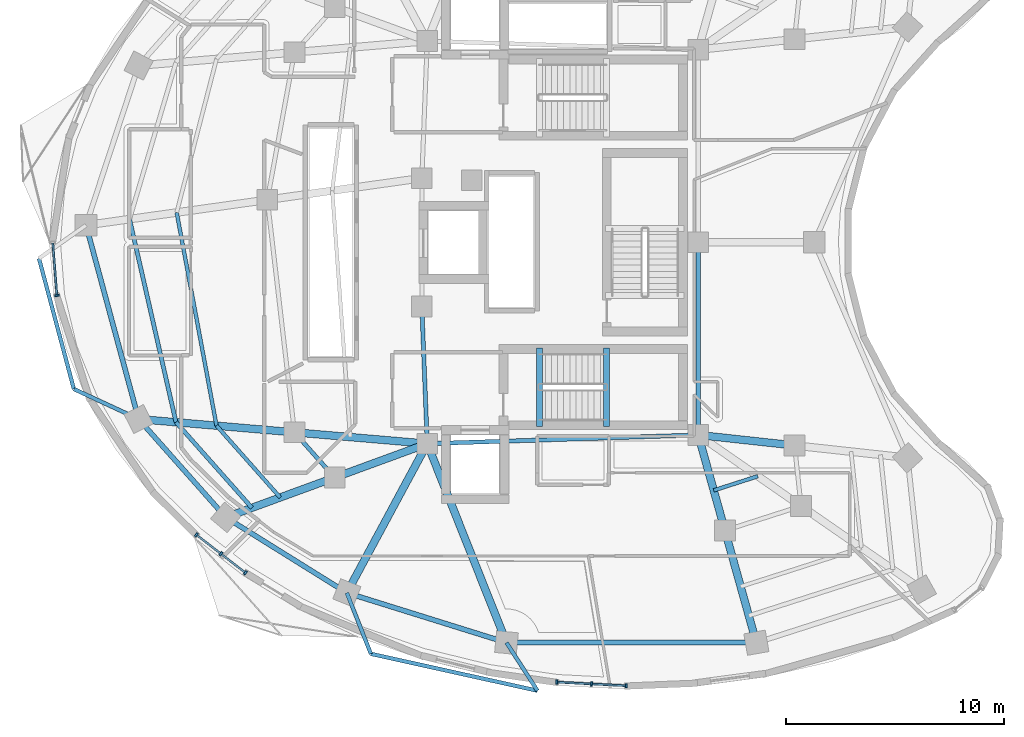
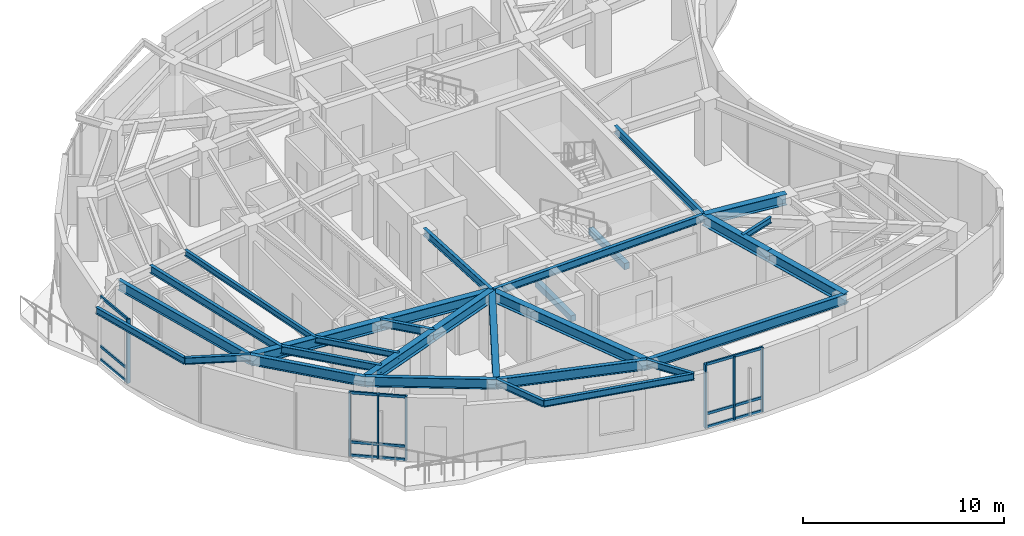
# One storey, part 2 of 13: 30 beams, 22 members, 3 elements without a shape of their own.
"""IFC4 building model written with IfcOpenShell, lengths in metres."""

from ifc_helpers import new_model, si_unit, direction, frame, origin, origin_2d, place, context, subcontext, project, spatial, rectangle, i_section, extrude, material, layer, layer_set, material_profile, profile_set, type_object, element, aggregate, save


model = new_model("IFC4")

# Units and contexts
model_context = context("Model", 3, precision=1e-05, world=origin(), true_north=direction((0.0, 1.0)))
body_context = subcontext(model_context, "Body", "Model", "MODEL_VIEW")
ifc_project = project(units=[si_unit("LENGTHUNIT", "METRE"), si_unit("AREAUNIT", "SQUARE_METRE"), si_unit("VOLUMEUNIT", "CUBIC_METRE"), si_unit("PLANEANGLEUNIT", "RADIAN"), si_unit("MASSUNIT", "GRAM", prefix="KILO")], contexts=[model_context])

# Site, building, storey
site_placement = place(None, origin())
site = spatial("IfcSite", under=ifc_project, at=site_placement, CompositionType="ELEMENT")
building_placement = place(site_placement, origin())
building = spatial("IfcBuilding", under=site, at=building_placement, Name="Korentha Bioscience Tower", CompositionType="ELEMENT")
storey_placement = place(building_placement, frame((0.0, 0.0, 187.800048828125)))
storey = spatial("IfcBuildingStorey", under=building, at=storey_placement, Name="L43", CompositionType="ELEMENT", Elevation=187.800048828125)

# Beams
ifc_material_1 = material(Name="Concrete C50", Category="concrete")
ifc_material_profile_1 = material_profile(ifc_material_1, rectangle(XDim=0.280029296875, YDim=0.3798828125, at=origin_2d()), Name="Concrete C50")
ifc_profile_set_1 = profile_set([ifc_material_profile_1], Name="Concrete C50 (ST-HB380)")
beam_type_1 = type_object("IfcBeamType", Name="Concrete Stair Header Beam RC 280x380", PredefinedType="BEAM", material=ifc_profile_set_1)
for number, where, z_axis, x_axis, name in (
    (1, (30.25, 18.550048828125, -0.18994140625), (0.0, 1.0, 0.0), (-1.0, 0.0, 0.0), "L43 ST-2 Concrete Stair Header Beam"),
    (2, (33.330078125, 18.550048828125, 1.909912109375), (0.0, 1.0, 0.0), (-1.0, 0.0, 0.0), "L43 ST-2 Half-Landing Header Beam 1"),
):
    element("IfcBeam", number, at=place(storey_placement, frame(where, z_axis=z_axis, x_axis=x_axis)), inside=storey, type_object=beam_type_1, Name=name, PredefinedType="BEAM", context=body_context, shape_type="SweptSolid", body=[
        extrude(rectangle(XDim=0.280029296875, YDim=0.3798828125, at=origin_2d()), origin(), (0.0, 0.0, 1.0), 3.599853515625),
    ])
ifc_material_2 = material(Name="Steel S355", Category="steel")
ifc_material_profile_2 = material_profile(ifc_material_2, i_section(OverallWidth=0.18994140625, OverallDepth=0.45703125, WebThickness=0.009033203125, FlangeThickness=0.014404296875, at=origin_2d()), Name="Steel S355")
ifc_profile_set_2 = profile_set([ifc_material_profile_2], Name="Steel S355 (MB-460)")
beam_type_2 = type_object("IfcBeamType", Name="Mid-Ring Tie Girder W460x74", PredefinedType="BEAM", material=ifc_profile_set_2)
beam_1_placement = place(storey_placement, frame((18.99951171875, 18.27001953125, 3.67138671875), z_axis=(0.663512238321, -0.748165429299, 0.0), x_axis=(0.748165429299, 0.663512238321, 0.0)))
element("IfcBeam", 3, at=beam_1_placement, inside=storey, type_object=beam_type_2, Name="L43 Mid-Ring Tie Girder 08", PredefinedType="BEAM", context=body_context, shape_type="SweptSolid", body=[
    extrude(i_section(OverallWidth=0.18994140625, OverallDepth=0.45703125, WebThickness=0.009033203125, FlangeThickness=0.014404296875, at=origin_2d()), origin(), (0.0, 0.0, 1.0), 2.77734375),
])
beam_2_placement = place(storey_placement, frame((24.85009765625, 24.050048828125, 3.67138671875), z_axis=(0.039651025576, -0.999213588864, 0.0), x_axis=(0.999213588864, 0.039651025576, 0.0)))
element("IfcBeam", 4, at=beam_2_placement, inside=storey, type_object=beam_type_2, Name="L43 Core Ring Tie Girder 04", PredefinedType="BEAM", context=body_context, shape_type="SweptSolid", body=[
    extrude(i_section(OverallWidth=0.18994140625, OverallDepth=0.45703125, WebThickness=0.009033203125, FlangeThickness=0.014404296875, at=origin_2d()), origin(), (0.0, 0.0, 1.0), 6.304931640625),
])
beam_3_placement = place(storey_placement, frame((25.10009765625, 17.75, 3.67138671875), z_axis=(0.999484526071, 0.032104238723, 0.0), x_axis=(-0.032104238723, 0.999484526071, 0.0)))
element("IfcBeam", 5, at=beam_3_placement, inside=storey, type_object=beam_type_2, Name="L43 Core Ring Tie Girder 05", PredefinedType="BEAM", context=body_context, shape_type="SweptSolid", body=[
    extrude(i_section(OverallWidth=0.18994140625, OverallDepth=0.45703125, WebThickness=0.009033203125, FlangeThickness=0.014404296875, at=origin_2d()), origin(), (0.0, 0.0, 1.0), 12.456298828125),
])
beam_4_placement = place(storey_placement, frame((37.550048828125, 18.14990234375, 3.67138671875), z_axis=(0.0, 1.0, 0.0), x_axis=(-1.0, 0.0, 0.0)))
element("IfcBeam", 6, at=beam_4_placement, inside=storey, type_object=beam_type_2, Name="L43 Core Ring Tie Girder 06", PredefinedType="BEAM", context=body_context, shape_type="SweptSolid", body=[
    extrude(i_section(OverallWidth=0.18994140625, OverallDepth=0.45703125, WebThickness=0.009033203125, FlangeThickness=0.014404296875, at=origin_2d()), origin(), (0.0, 0.0, 1.0), 8.85009765625),
])

# Curtain wall, member
ifc_material_3 = material(Name="Thermally Broken Aluminium Frame", Category="aluminium")
ifc_layer = layer(ifc_material_3, 0.219970703125, Name="Thermally Broken Aluminium Frame")
ifc_layer_set = layer_set([ifc_layer], Name="Thermally Broken Aluminium Frame (CW-T1)")
curtain_wall_type = type_object("IfcCurtainWallType", Name="Standard Bioscience Lab Unitised Curtain Wall CW-T1", PredefinedType="USERDEFINED", material=ifc_layer_set)
curtain_wall_1_placement = place(storey_placement, origin())
curtain_wall_1 = element("IfcCurtainWall", 7, at=curtain_wall_1_placement, inside=storey, type_object=curtain_wall_type, Name="L43 Curtain Wall 19", ObjectType="UNITISED", PredefinedType="USERDEFINED")
ifc_material_4 = material(Name="Anodised Aluminium 6063-T6", Category="aluminium")
ifc_material_profile_3 = material_profile(ifc_material_4, rectangle(XDim=0.090087890625, YDim=0.199951171875, at=origin_2d()), Name="Anodised Aluminium 6063-T6")
ifc_profile_set_3 = profile_set([ifc_material_profile_3], Name="Anodised Aluminium 6063-T6 (CW-MUL)")
member_type_1 = type_object("IfcMemberType", Name="Mullion RECT 90x200", PredefinedType="MULLION", material=ifc_profile_set_3)
member_1_placement = place(storey_placement, frame((8.087890625, 24.5546875, 0.0), z_axis=(0.0, 0.0, 1.0), x_axis=(0.078030772566, -0.996950950916, 0.0)))
member_1 = element("IfcMember", 8, at=member_1_placement, type_object=member_type_1, Name="CW-L43-19 Mullion 2", PredefinedType="MULLION", context=body_context, shape_type="SweptSolid", body=[
    extrude(rectangle(XDim=0.090087890625, YDim=0.199951171875, at=origin_2d()), origin(), (0.0, 0.0, 1.0), 3.89990234375),
])

# Curtain wall, members
curtain_wall_2_placement = place(storey_placement, origin())
curtain_wall_2 = element("IfcCurtainWall", 9, at=curtain_wall_2_placement, inside=storey, type_object=curtain_wall_type, Name="L43 Curtain Wall 25", ObjectType="UNITISED", PredefinedType="USERDEFINED")
member_2_placement = place(storey_placement, frame((14.492431640625, 13.563232421875, 0.0), z_axis=(0.0, 0.0, 1.0), x_axis=(0.790546796919, -0.612401634454, 0.0)))
member_2 = element("IfcMember", 10, at=member_2_placement, type_object=member_type_1, Name="CW-L43-25 Mullion 1", PredefinedType="MULLION", context=body_context, shape_type="SweptSolid", body=[
    extrude(rectangle(XDim=0.090087890625, YDim=0.199951171875, at=origin_2d()), origin(), (0.0, 0.0, 1.0), 3.89990234375),
])
member_3_placement = place(storey_placement, frame((15.618896484375, 12.690673828125, 0.0), z_axis=(0.0, 0.0, 1.0), x_axis=(0.790546796919, -0.612401634454, 0.0)))
member_3 = element("IfcMember", 11, at=member_3_placement, type_object=member_type_1, Name="CW-L43-25 Mullion 2", PredefinedType="MULLION", context=body_context, shape_type="SweptSolid", body=[
    extrude(rectangle(XDim=0.090087890625, YDim=0.199951171875, at=origin_2d()), origin(), (0.0, 0.0, 1.0), 3.89990234375),
])
member_4_placement = place(storey_placement, frame((16.745361328125, 11.818115234375, 0.0), z_axis=(0.0, 0.0, 1.0), x_axis=(0.790546796919, -0.612401634454, 0.0)))
member_4 = element("IfcMember", 12, at=member_4_placement, type_object=member_type_1, Name="CW-L43-25 Mullion 3", PredefinedType="MULLION", context=body_context, shape_type="SweptSolid", body=[
    extrude(rectangle(XDim=0.090087890625, YDim=0.199951171875, at=origin_2d()), origin(), (0.0, 0.0, 1.0), 3.89990234375),
])

curtain_wall_3_placement = place(storey_placement, origin())
curtain_wall_3 = element("IfcCurtainWall", 13, at=curtain_wall_3_placement, inside=storey, type_object=curtain_wall_type, Name="L43 Curtain Wall 31", ObjectType="UNITISED", PredefinedType="USERDEFINED")
member_5_placement = place(storey_placement, frame((31.0517578125, 6.79541015625, 0.0), z_axis=(0.0, 0.0, 1.0), x_axis=(0.998637677307, -0.052180355139, 0.0)))
member_5 = element("IfcMember", 14, at=member_5_placement, type_object=member_type_1, Name="CW-L43-31 Mullion 1", PredefinedType="MULLION", context=body_context, shape_type="SweptSolid", body=[
    extrude(rectangle(XDim=0.090087890625, YDim=0.199951171875, at=origin_2d()), origin(), (0.0, 0.0, 1.0), 3.89990234375),
])
member_6_placement = place(storey_placement, frame((32.64794921875, 6.7119140625, 0.0), z_axis=(0.0, 0.0, 1.0), x_axis=(0.998637677307, -0.052180355139, 0.0)))
member_6 = element("IfcMember", 15, at=member_6_placement, type_object=member_type_1, Name="CW-L43-31 Mullion 2", PredefinedType="MULLION", context=body_context, shape_type="SweptSolid", body=[
    extrude(rectangle(XDim=0.090087890625, YDim=0.199951171875, at=origin_2d()), origin(), (0.0, 0.0, 1.0), 3.89990234375),
])
member_7_placement = place(storey_placement, frame((34.244140625, 6.628662109375, 0.0), z_axis=(0.0, 0.0, 1.0), x_axis=(0.998637677307, -0.052180355139, 0.0)))
member_7 = element("IfcMember", 16, at=member_7_placement, type_object=member_type_1, Name="CW-L43-31 Mullion 3", PredefinedType="MULLION", context=body_context, shape_type="SweptSolid", body=[
    extrude(rectangle(XDim=0.090087890625, YDim=0.199951171875, at=origin_2d()), origin(), (0.0, 0.0, 1.0), 3.89990234375),
])

# Beams
ifc_material_profile_4 = material_profile(ifc_material_2, i_section(OverallWidth=0.22802734375, OverallDepth=0.60791015625, WebThickness=0.01123046875, FlangeThickness=0.017333984375, at=origin_2d()), Name="Steel S355")
ifc_profile_set_4 = profile_set([ifc_material_profile_4], Name="Steel S355 (SB-610)")
beam_type_3 = type_object("IfcBeamType", Name="Perimeter Ring Spandrel Girder W610x113", PredefinedType="SPANDREL", material=ifc_profile_set_4)
beam_5_placement = place(storey_placement, frame((9.422607421875, 27.785888671875, 3.595947265625), z_axis=(0.261762629829, -0.965132284003, 0.0), x_axis=(0.965132284003, 0.261762629829, 0.0)))
element("IfcBeam", 17, at=beam_5_placement, inside=storey, type_object=beam_type_3, Name="L43 Perimeter Spandrel Girder 07", PredefinedType="SPANDREL", context=body_context, shape_type="SweptSolid", body=[
    extrude(i_section(OverallWidth=0.22802734375, OverallDepth=0.60791015625, WebThickness=0.01123046875, FlangeThickness=0.017333984375, at=origin_2d()), origin(), (0.0, 0.0, 1.0), 9.22705078125),
])
beam_6_placement = place(storey_placement, frame((11.837890625, 18.880615234375, 3.595947265625), z_axis=(0.663502544942, -0.748174025782, 0.0), x_axis=(0.748174025782, 0.663502544942, 0.0)))
element("IfcBeam", 18, at=beam_6_placement, inside=storey, type_object=beam_type_3, Name="L43 Perimeter Spandrel Girder 08", PredefinedType="SPANDREL", context=body_context, shape_type="SweptSolid", body=[
    extrude(i_section(OverallWidth=0.22802734375, OverallDepth=0.60791015625, WebThickness=0.01123046875, FlangeThickness=0.017333984375, at=origin_2d()), origin(), (0.0, 0.0, 1.0), 6.037841796875),
])
beam_7_placement = place(storey_placement, frame((15.843994140625, 14.36328125, 3.595947265625), z_axis=(0.848675740059, -0.528913497876, 0.0), x_axis=(0.528913497876, 0.848675740059, 0.0)))
element("IfcBeam", 19, at=beam_7_placement, inside=storey, type_object=beam_type_3, Name="L43 Perimeter Spandrel Girder 09", PredefinedType="SPANDREL", context=body_context, shape_type="SweptSolid", body=[
    extrude(i_section(OverallWidth=0.22802734375, OverallDepth=0.60791015625, WebThickness=0.01123046875, FlangeThickness=0.017333984375, at=origin_2d()), origin(), (0.0, 0.0, 1.0), 6.55322265625),
])
beam_8_placement = place(storey_placement, frame((21.405517578125, 10.897216796875, 3.595947265625), z_axis=(0.954638172607, -0.29776829818, 0.0), x_axis=(0.29776829818, 0.954638172607, 0.0)))
element("IfcBeam", 20, at=beam_8_placement, inside=storey, type_object=beam_type_3, Name="L43 Perimeter Spandrel Girder 10", PredefinedType="SPANDREL", context=body_context, shape_type="SweptSolid", body=[
    extrude(i_section(OverallWidth=0.22802734375, OverallDepth=0.60791015625, WebThickness=0.01123046875, FlangeThickness=0.017333984375, at=origin_2d()), origin(), (0.0, 0.0, 1.0), 7.682373046875),
])
beam_9_placement = place(storey_placement, frame((28.739501953125, 8.609619140625, 3.595947265625), z_axis=(0.99999988041, -0.000489059883, 0.0), x_axis=(0.000489059883, 0.99999988041, 0.0)))
element("IfcBeam", 21, at=beam_9_placement, inside=storey, type_object=beam_type_3, Name="L43 Perimeter Spandrel Girder 11", PredefinedType="SPANDREL", context=body_context, shape_type="SweptSolid", body=[
    extrude(i_section(OverallWidth=0.22802734375, OverallDepth=0.60791015625, WebThickness=0.01123046875, FlangeThickness=0.017333984375, at=origin_2d()), origin(), (0.0, 0.0, 1.0), 11.481689453125),
])
ifc_material_profile_5 = material_profile(ifc_material_2, i_section(OverallWidth=0.18994140625, OverallDepth=0.45703125, WebThickness=0.009033203125, FlangeThickness=0.014404296875, at=origin_2d()), Name="Steel S355")
ifc_profile_set_5 = profile_set([ifc_material_profile_5], Name="Steel S355 (RB-460)")
beam_type_4 = type_object("IfcBeamType", Name="Radial Laboratory Beam W460x74", PredefinedType="BEAM", material=ifc_profile_set_5)
beam_10_placement = place(storey_placement, frame((11.421875, 28.06640625, 3.67138671875), z_axis=(0.222990987745, -0.974820506239, 0.0), x_axis=(0.974820506239, 0.222990987745, 0.0)))
element("IfcBeam", 22, at=beam_10_placement, inside=storey, type_object=beam_type_4, Name="L43 Secondary Floor Beam JSTO-07", PredefinedType="BEAM", context=body_context, shape_type="SweptSolid", body=[
    extrude(i_section(OverallWidth=0.18994140625, OverallDepth=0.45703125, WebThickness=0.009033203125, FlangeThickness=0.014404296875, at=origin_2d()), origin(), (0.0, 0.0, 1.0), 9.5732421875),
])
beam_11_placement = place(storey_placement, frame((13.556640625, 18.734130859375, 3.67138671875), z_axis=(0.663495511182, -0.748180263467, 0.0), x_axis=(0.748180263467, 0.663495511182, 0.0)))
element("IfcBeam", 23, at=beam_11_placement, inside=storey, type_object=beam_type_4, Name="L43 Secondary Floor Beam JSTO-08", PredefinedType="BEAM", context=body_context, shape_type="SweptSolid", body=[
    extrude(i_section(OverallWidth=0.18994140625, OverallDepth=0.45703125, WebThickness=0.009033203125, FlangeThickness=0.014404296875, at=origin_2d()), origin(), (0.0, 0.0, 1.0), 5.255615234375),
])
ifc_material_profile_6 = material_profile(ifc_material_2, i_section(OverallWidth=0.35009765625, OverallDepth=0.64990234375, WebThickness=0.01611328125, FlangeThickness=0.02490234375, at=origin_2d()), Name="Steel S355")
ifc_profile_set_6 = profile_set([ifc_material_profile_6], Name="Steel S355 (RB-650)")
beam_type_5 = type_object("IfcBeamType", Name="Radial Laboratory Girder CVS 650x208", PredefinedType="BEAM", material=ifc_profile_set_6)
beam_12_placement = place(storey_placement, frame((25.10009765625, 17.75, 3.574951171875), z_axis=(-0.996386672138, 0.084932912264, 0.0), x_axis=(-0.084932912264, -0.996386672138, 0.0)))
element("IfcBeam", 24, at=beam_12_placement, inside=storey, type_object=beam_type_5, Name="L43 Inner Radial Girder 08", PredefinedType="BEAM", context=body_context, shape_type="SweptSolid", body=[
    extrude(i_section(OverallWidth=0.35009765625, OverallDepth=0.64990234375, WebThickness=0.01611328125, FlangeThickness=0.02490234375, at=origin_2d()), origin(), (0.0, 0.0, 1.0), 6.122802734375),
])
beam_13_placement = place(storey_placement, frame((18.99951171875, 18.27001953125, 3.574951171875), z_axis=(-0.996385111181, 0.084951222577, 0.0), x_axis=(-0.084951222577, -0.996385111181, 0.0)))
element("IfcBeam", 25, at=beam_13_placement, inside=storey, type_object=beam_type_5, Name="L43 Outer Radial Girder 08", PredefinedType="BEAM", context=body_context, shape_type="SweptSolid", body=[
    extrude(i_section(OverallWidth=0.35009765625, OverallDepth=0.64990234375, WebThickness=0.01611328125, FlangeThickness=0.02490234375, at=origin_2d()), origin(), (0.0, 0.0, 1.0), 7.1875),
])
beam_14_placement = place(storey_placement, frame((25.10009765625, 17.75, 3.574951171875), z_axis=(-0.939113952431, -0.343605856105, 0.0), x_axis=(0.343605856105, -0.939113952431, 0.0)))
element("IfcBeam", 26, at=beam_14_placement, inside=storey, type_object=beam_type_5, Name="L43 Inner Radial Girder 09", PredefinedType="BEAM", context=body_context, shape_type="SweptSolid", body=[
    extrude(i_section(OverallWidth=0.35009765625, OverallDepth=0.64990234375, WebThickness=0.01611328125, FlangeThickness=0.02490234375, at=origin_2d()), origin(), (0.0, 0.0, 1.0), 4.533935546875),
])
beam_15_placement = place(storey_placement, frame((20.84228515625, 16.192138671875, 3.574951171875), z_axis=(-0.939109855566, -0.343617053097, 0.0), x_axis=(0.343617053097, -0.939109855566, 0.0)))
element("IfcBeam", 27, at=beam_15_placement, inside=storey, type_object=beam_type_5, Name="L43 Outer Radial Girder 09", PredefinedType="BEAM", context=body_context, shape_type="SweptSolid", body=[
    extrude(i_section(OverallWidth=0.35009765625, OverallDepth=0.64990234375, WebThickness=0.01611328125, FlangeThickness=0.02490234375, at=origin_2d()), origin(), (0.0, 0.0, 1.0), 5.322265625),
])
beam_16_placement = place(storey_placement, frame((25.10009765625, 17.75, 3.574951171875), z_axis=(-0.474559790141, -0.880223270302, 0.0), x_axis=(0.880223270302, -0.474559790141, 0.0)))
element("IfcBeam", 28, at=beam_16_placement, inside=storey, type_object=beam_type_5, Name="L43 Radial Girder 10", PredefinedType="BEAM", context=body_context, shape_type="SweptSolid", body=[
    extrude(i_section(OverallWidth=0.35009765625, OverallDepth=0.64990234375, WebThickness=0.01611328125, FlangeThickness=0.02490234375, at=origin_2d()), origin(), (0.0, 0.0, 1.0), 7.785400390625),
])
beam_17_placement = place(storey_placement, frame((25.10009765625, 17.75, 3.574951171875), z_axis=(0.369922682955, -0.929062542909, 0.0), x_axis=(0.929062542909, 0.369922682955, 0.0)))
element("IfcBeam", 29, at=beam_17_placement, inside=storey, type_object=beam_type_5, Name="L43 Radial Girder 11", PredefinedType="BEAM", context=body_context, shape_type="SweptSolid", body=[
    extrude(i_section(OverallWidth=0.35009765625, OverallDepth=0.64990234375, WebThickness=0.01611328125, FlangeThickness=0.02490234375, at=origin_2d()), origin(), (0.0, 0.0, 1.0), 9.83837890625),
])
beam_18_placement = place(storey_placement, frame((37.550048828125, 18.14990234375, 3.574951171875), z_axis=(0.269477001654, -0.963006825303, 0.0), x_axis=(0.963006825303, 0.269477001654, 0.0)))
element("IfcBeam", 30, at=beam_18_placement, inside=storey, type_object=beam_type_5, Name="L43 Inner Radial Girder 12", PredefinedType="BEAM", context=body_context, shape_type="SweptSolid", body=[
    extrude(i_section(OverallWidth=0.35009765625, OverallDepth=0.64990234375, WebThickness=0.01611328125, FlangeThickness=0.02490234375, at=origin_2d()), origin(), (0.0, 0.0, 1.0), 4.559814453125),
])
beam_19_placement = place(storey_placement, frame((38.77880859375, 13.7587890625, 3.574951171875), z_axis=(0.269464128344, -0.963010427532, 0.0), x_axis=(0.963010427532, 0.269464128344, 0.0)))
element("IfcBeam", 31, at=beam_19_placement, inside=storey, type_object=beam_type_5, Name="L43 Outer Radial Girder 12", PredefinedType="BEAM", context=body_context, shape_type="SweptSolid", body=[
    extrude(i_section(OverallWidth=0.35009765625, OverallDepth=0.64990234375, WebThickness=0.01611328125, FlangeThickness=0.02490234375, at=origin_2d()), origin(), (0.0, 0.0, 1.0), 5.352783203125),
])
beam_20_placement = place(storey_placement, frame((37.550048828125, 18.14990234375, 3.574951171875), z_axis=(0.994118939953, -0.108293735857, 0.0), x_axis=(0.108293735857, 0.994118939953, 0.0)))
element("IfcBeam", 32, at=beam_20_placement, inside=storey, type_object=beam_type_5, Name="L43 Inner Radial Girder 14", PredefinedType="BEAM", context=body_context, shape_type="SweptSolid", body=[
    extrude(i_section(OverallWidth=0.35009765625, OverallDepth=0.64990234375, WebThickness=0.01611328125, FlangeThickness=0.02490234375, at=origin_2d()), origin(), (0.0, 0.0, 1.0), 4.4501953125),
])
ifc_material_profile_7 = material_profile(ifc_material_2, i_section(OverallWidth=0.1708984375, OverallDepth=0.35498046875, WebThickness=0.007080078125, FlangeThickness=0.01171875, at=origin_2d()), Name="Steel S355")
ifc_profile_set_7 = profile_set([ifc_material_profile_7], Name="Steel S355 (JB-360)")
beam_type_6 = type_object("IfcBeamType", Name="Secondary Laboratory Joist W360x51", PredefinedType="JOIST", material=ifc_profile_set_7)
beam_21_placement = place(storey_placement, frame((13.587890625, 28.3701171875, 3.722412109375), z_axis=(0.183736713841, -0.982975493076, 0.0), x_axis=(0.982975493076, 0.183736713841, 0.0)))
element("IfcBeam", 33, at=beam_21_placement, inside=storey, type_object=beam_type_6, Name="L43 Secondary Floor Beam JST-07", PredefinedType="JOIST", context=body_context, shape_type="SweptSolid", body=[
    extrude(i_section(OverallWidth=0.1708984375, OverallDepth=0.35498046875, WebThickness=0.007080078125, FlangeThickness=0.01171875, at=origin_2d()), origin(), (0.0, 0.0, 1.0), 9.96435546875),
])
beam_22_placement = place(storey_placement, frame((15.418701171875, 18.575439453125, 3.722412109375), z_axis=(0.663462598754, -0.748209449322, 0.0), x_axis=(0.748209449322, 0.663462598754, 0.0)))
element("IfcBeam", 34, at=beam_22_placement, inside=storey, type_object=beam_type_6, Name="L43 Secondary Floor Beam JST-08", PredefinedType="JOIST", context=body_context, shape_type="SweptSolid", body=[
    extrude(i_section(OverallWidth=0.1708984375, OverallDepth=0.35498046875, WebThickness=0.007080078125, FlangeThickness=0.01171875, at=origin_2d()), origin(), (0.0, 0.0, 1.0), 4.40771484375),
])
beam_23_placement = place(storey_placement, frame((38.2626953125, 15.60302734375, 3.722412109375), z_axis=(0.952010669267, 0.306064838885, 0.0), x_axis=(-0.306064838885, 0.952010669267, 0.0)))
element("IfcBeam", 35, at=beam_23_placement, inside=storey, type_object=beam_type_6, Name="L43 Inner Bay Joist 12", PredefinedType="JOIST", context=body_context, shape_type="SweptSolid", body=[
    extrude(i_section(OverallWidth=0.1708984375, OverallDepth=0.35498046875, WebThickness=0.007080078125, FlangeThickness=0.01171875, at=origin_2d()), origin(), (0.0, 0.0, 1.0), 2.1298828125),
])
ifc_material_profile_8 = material_profile(ifc_material_2, i_section(OverallWidth=0.177978515625, OverallDepth=0.406982421875, WebThickness=0.0078125, FlangeThickness=0.0126953125, at=origin_2d()), Name="Steel S355")
ifc_profile_set_8 = profile_set([ifc_material_profile_8], Name="Steel S355 (CB-410)")
beam_type_7 = type_object("IfcBeamType", Name="Sun-Ledge Cantilever Beam W410x60", PredefinedType="BEAM", material=ifc_profile_set_8)
beam_24_placement = place(storey_placement, frame((11.837890625, 18.880615234375, 3.698486328125), z_axis=(-0.907251681669, 0.420588143091, 0.0), x_axis=(-0.420588143091, -0.907251681669, 0.0)))
element("IfcBeam", 36, at=beam_24_placement, inside=storey, type_object=beam_type_7, Name="L43 Balcony Cantilever Bracket B-L44-02", PredefinedType="BEAM", context=body_context, shape_type="SweptSolid", body=[
    extrude(i_section(OverallWidth=0.177978515625, OverallDepth=0.406982421875, WebThickness=0.0078125, FlangeThickness=0.0126953125, at=origin_2d()), origin(), (0.0, 0.0, 1.0), 3.27734375),
])
beam_25_placement = place(storey_placement, frame((7.26123046875, 26.26025390625, 3.698486328125), z_axis=(0.258105398274, -0.96611676488, 0.0), x_axis=(0.96611676488, 0.258105398274, 0.0)))
element("IfcBeam", 37, at=beam_25_placement, inside=storey, type_object=beam_type_7, Name="L43 Balcony Edge Trimmer Beam L44-02", PredefinedType="BEAM", context=body_context, shape_type="SweptSolid", body=[
    extrude(i_section(OverallWidth=0.177978515625, OverallDepth=0.406982421875, WebThickness=0.0078125, FlangeThickness=0.0126953125, at=origin_2d()), origin(), (0.0, 0.0, 1.0), 6.211669921875),
])
beam_26_placement = place(storey_placement, frame((21.405517578125, 10.897216796875, 3.698486328125), z_axis=(0.366329003488, -0.930485390107, 0.0), x_axis=(0.930485390107, 0.366329003488, 0.0)))
element("IfcBeam", 38, at=beam_26_placement, inside=storey, type_object=beam_type_7, Name="L43 Balcony Cantilever Bracket A-L44-03", PredefinedType="BEAM", context=body_context, shape_type="SweptSolid", body=[
    extrude(i_section(OverallWidth=0.177978515625, OverallDepth=0.406982421875, WebThickness=0.0078125, FlangeThickness=0.0126953125, at=origin_2d()), origin(), (0.0, 0.0, 1.0), 3.013671875),
])
beam_27_placement = place(storey_placement, frame((28.739501953125, 8.609619140625, 3.698486328125), z_axis=(0.541648853106, -0.84060485362, 0.0), x_axis=(0.84060485362, 0.541648853106, 0.0)))
element("IfcBeam", 39, at=beam_27_placement, inside=storey, type_object=beam_type_7, Name="L43 Balcony Cantilever Bracket B-L44-03", PredefinedType="BEAM", context=body_context, shape_type="SweptSolid", body=[
    extrude(i_section(OverallWidth=0.177978515625, OverallDepth=0.406982421875, WebThickness=0.0078125, FlangeThickness=0.0126953125, at=origin_2d()), origin(), (0.0, 0.0, 1.0), 2.629638671875),
])
beam_28_placement = place(storey_placement, frame((22.509521484375, 8.093017578125, 3.698486328125), z_axis=(0.976378662051, -0.21606644416, 0.0), x_axis=(0.21606644416, 0.976378662051, 0.0)))
element("IfcBeam", 40, at=beam_28_placement, inside=storey, type_object=beam_type_7, Name="L43 Balcony Edge Trimmer Beam L44-03", PredefinedType="BEAM", context=body_context, shape_type="SweptSolid", body=[
    extrude(i_section(OverallWidth=0.177978515625, OverallDepth=0.406982421875, WebThickness=0.0078125, FlangeThickness=0.0126953125, at=origin_2d()), origin(), (0.0, 0.0, 1.0), 7.83935546875),
])

# Member
ifc_material_profile_9 = material_profile(ifc_material_4, rectangle(XDim=0.090087890625, YDim=0.159912109375, at=origin_2d()), Name="Anodised Aluminium 6063-T6")
ifc_profile_set_9 = profile_set([ifc_material_profile_9], Name="Anodised Aluminium 6063-T6 (CW-TRN)")
member_type_2 = type_object("IfcMemberType", Name="Transom RECT 90x160", PredefinedType="USERDEFINED", material=ifc_profile_set_9)
member_8_placement = place(storey_placement, frame((7.8994140625, 26.962646484375, 0.044921875), z_axis=(0.078074822466, -0.996947502177, 0.0), x_axis=(0.996947502177, 0.078074822466, 0.0)))
member_8 = element("IfcMember", 41, at=member_8_placement, type_object=member_type_2, Name="CW-L43-19 Bay 1 Transom 1", ObjectType="TRANSOM", PredefinedType="USERDEFINED", context=body_context, shape_type="SweptSolid", body=[
    extrude(rectangle(XDim=0.090087890625, YDim=0.159912109375, at=origin_2d()), origin(), (0.0, 0.0, 1.0), 2.370361328125),
])

member_9_placement = place(storey_placement, frame((7.8994140625, 26.962646484375, 0.849853515625), z_axis=(0.078074822466, -0.996947502177, 0.0), x_axis=(0.996947502177, 0.078074822466, 0.0)))
member_9 = element("IfcMember", 42, at=member_9_placement, type_object=member_type_2, Name="CW-L43-19 Bay 1 Transom 2", ObjectType="TRANSOM", PredefinedType="USERDEFINED", context=body_context, shape_type="SweptSolid", body=[
    extrude(rectangle(XDim=0.090087890625, YDim=0.159912109375, at=origin_2d()), origin(), (0.0, 0.0, 1.0), 2.370361328125),
])

member_10_placement = place(storey_placement, frame((7.8994140625, 26.962646484375, 3.85498046875), z_axis=(0.078074822466, -0.996947502177, 0.0), x_axis=(0.996947502177, 0.078074822466, 0.0)))
member_10 = element("IfcMember", 43, at=member_10_placement, type_object=member_type_2, Name="CW-L43-19 Bay 1 Transom 3", ObjectType="TRANSOM", PredefinedType="USERDEFINED", context=body_context, shape_type="SweptSolid", body=[
    extrude(rectangle(XDim=0.090087890625, YDim=0.159912109375, at=origin_2d()), origin(), (0.0, 0.0, 1.0), 2.370361328125),
])

aggregate(curtain_wall_1, [member_1, member_8, member_9, member_10])

member_11_placement = place(storey_placement, frame((14.528076171875, 13.535888671875, 0.044921875), z_axis=(0.790463754503, -0.612508818563, 0.0), x_axis=(0.612508818563, 0.790463754503, 0.0)))
member_11 = element("IfcMember", 44, at=member_11_placement, type_object=member_type_2, Name="CW-L43-25 Bay 1 Transom 1", ObjectType="TRANSOM", PredefinedType="USERDEFINED", context=body_context, shape_type="SweptSolid", body=[
    extrude(rectangle(XDim=0.090087890625, YDim=0.159912109375, at=origin_2d()), origin(), (0.0, 0.0, 1.0), 1.3349609375),
])

member_12_placement = place(storey_placement, frame((14.528076171875, 13.535888671875, 0.849853515625), z_axis=(0.790463754503, -0.612508818563, 0.0), x_axis=(0.612508818563, 0.790463754503, 0.0)))
member_12 = element("IfcMember", 45, at=member_12_placement, type_object=member_type_2, Name="CW-L43-25 Bay 1 Transom 2", ObjectType="TRANSOM", PredefinedType="USERDEFINED", context=body_context, shape_type="SweptSolid", body=[
    extrude(rectangle(XDim=0.090087890625, YDim=0.159912109375, at=origin_2d()), origin(), (0.0, 0.0, 1.0), 1.3349609375),
])

member_13_placement = place(storey_placement, frame((14.528076171875, 13.535888671875, 3.85498046875), z_axis=(0.790463754503, -0.612508818563, 0.0), x_axis=(0.612508818563, 0.790463754503, 0.0)))
member_13 = element("IfcMember", 46, at=member_13_placement, type_object=member_type_2, Name="CW-L43-25 Bay 1 Transom 3", ObjectType="TRANSOM", PredefinedType="USERDEFINED", context=body_context, shape_type="SweptSolid", body=[
    extrude(rectangle(XDim=0.090087890625, YDim=0.159912109375, at=origin_2d()), origin(), (0.0, 0.0, 1.0), 1.3349609375),
])

member_14_placement = place(storey_placement, frame((15.654541015625, 12.6630859375, 0.044921875), z_axis=(0.79055230676, -0.612394521756, 0.0), x_axis=(0.612394521756, 0.79055230676, 0.0)))
member_14 = element("IfcMember", 47, at=member_14_placement, type_object=member_type_2, Name="CW-L43-25 Bay 2 Transom 1", ObjectType="TRANSOM", PredefinedType="USERDEFINED", context=body_context, shape_type="SweptSolid", body=[
    extrude(rectangle(XDim=0.090087890625, YDim=0.159912109375, at=origin_2d()), origin(), (0.0, 0.0, 1.0), 1.334716796875),
])

member_15_placement = place(storey_placement, frame((15.654541015625, 12.6630859375, 0.849853515625), z_axis=(0.79055230676, -0.612394521756, 0.0), x_axis=(0.612394521756, 0.79055230676, 0.0)))
member_15 = element("IfcMember", 48, at=member_15_placement, type_object=member_type_2, Name="CW-L43-25 Bay 2 Transom 2", ObjectType="TRANSOM", PredefinedType="USERDEFINED", context=body_context, shape_type="SweptSolid", body=[
    extrude(rectangle(XDim=0.090087890625, YDim=0.159912109375, at=origin_2d()), origin(), (0.0, 0.0, 1.0), 1.334716796875),
])

member_16_placement = place(storey_placement, frame((15.654541015625, 12.6630859375, 3.85498046875), z_axis=(0.79055230676, -0.612394521756, 0.0), x_axis=(0.612394521756, 0.79055230676, 0.0)))
member_16 = element("IfcMember", 49, at=member_16_placement, type_object=member_type_2, Name="CW-L43-25 Bay 2 Transom 3", ObjectType="TRANSOM", PredefinedType="USERDEFINED", context=body_context, shape_type="SweptSolid", body=[
    extrude(rectangle(XDim=0.090087890625, YDim=0.159912109375, at=origin_2d()), origin(), (0.0, 0.0, 1.0), 1.334716796875),
])

aggregate(curtain_wall_2, [member_2, member_3, member_4, member_11, member_12, member_13, member_14, member_15, member_16])

member_17_placement = place(storey_placement, frame((31.0966796875, 6.793212890625, 0.044921875), z_axis=(0.998632544532, -0.052278494633, 0.0), x_axis=(0.052278494633, 0.998632544532, 0.0)))
member_17 = element("IfcMember", 50, at=member_17_placement, type_object=member_type_2, Name="CW-L43-31 Bay 1 Transom 1", ObjectType="TRANSOM", PredefinedType="USERDEFINED", context=body_context, shape_type="SweptSolid", body=[
    extrude(rectangle(XDim=0.090087890625, YDim=0.159912109375, at=origin_2d()), origin(), (0.0, 0.0, 1.0), 1.50830078125),
])

member_18_placement = place(storey_placement, frame((31.0966796875, 6.793212890625, 0.849853515625), z_axis=(0.998632544532, -0.052278494633, 0.0), x_axis=(0.052278494633, 0.998632544532, 0.0)))
member_18 = element("IfcMember", 51, at=member_18_placement, type_object=member_type_2, Name="CW-L43-31 Bay 1 Transom 2", ObjectType="TRANSOM", PredefinedType="USERDEFINED", context=body_context, shape_type="SweptSolid", body=[
    extrude(rectangle(XDim=0.090087890625, YDim=0.159912109375, at=origin_2d()), origin(), (0.0, 0.0, 1.0), 1.50830078125),
])

member_19_placement = place(storey_placement, frame((31.0966796875, 6.793212890625, 3.85498046875), z_axis=(0.998632544532, -0.052278494633, 0.0), x_axis=(0.052278494633, 0.998632544532, 0.0)))
member_19 = element("IfcMember", 52, at=member_19_placement, type_object=member_type_2, Name="CW-L43-31 Bay 1 Transom 3", ObjectType="TRANSOM", PredefinedType="USERDEFINED", context=body_context, shape_type="SweptSolid", body=[
    extrude(rectangle(XDim=0.090087890625, YDim=0.159912109375, at=origin_2d()), origin(), (0.0, 0.0, 1.0), 1.50830078125),
])

member_20_placement = place(storey_placement, frame((32.69287109375, 6.709716796875, 0.044921875), z_axis=(0.998640981416, -0.052117082012, 0.0), x_axis=(0.052117082012, 0.998640981416, 0.0)))
member_20 = element("IfcMember", 53, at=member_20_placement, type_object=member_type_2, Name="CW-L43-31 Bay 2 Transom 1", ObjectType="TRANSOM", PredefinedType="USERDEFINED", context=body_context, shape_type="SweptSolid", body=[
    extrude(rectangle(XDim=0.090087890625, YDim=0.159912109375, at=origin_2d()), origin(), (0.0, 0.0, 1.0), 1.50830078125),
])

member_21_placement = place(storey_placement, frame((32.69287109375, 6.709716796875, 0.849853515625), z_axis=(0.998640981416, -0.052117082012, 0.0), x_axis=(0.052117082012, 0.998640981416, 0.0)))
member_21 = element("IfcMember", 54, at=member_21_placement, type_object=member_type_2, Name="CW-L43-31 Bay 2 Transom 2", ObjectType="TRANSOM", PredefinedType="USERDEFINED", context=body_context, shape_type="SweptSolid", body=[
    extrude(rectangle(XDim=0.090087890625, YDim=0.159912109375, at=origin_2d()), origin(), (0.0, 0.0, 1.0), 1.50830078125),
])

member_22_placement = place(storey_placement, frame((32.69287109375, 6.709716796875, 3.85498046875), z_axis=(0.998640981416, -0.052117082012, 0.0), x_axis=(0.052117082012, 0.998640981416, 0.0)))
member_22 = element("IfcMember", 55, at=member_22_placement, type_object=member_type_2, Name="CW-L43-31 Bay 2 Transom 3", ObjectType="TRANSOM", PredefinedType="USERDEFINED", context=body_context, shape_type="SweptSolid", body=[
    extrude(rectangle(XDim=0.090087890625, YDim=0.159912109375, at=origin_2d()), origin(), (0.0, 0.0, 1.0), 1.50830078125),
])

aggregate(curtain_wall_3, [member_5, member_6, member_7, member_17, member_18, member_19, member_20, member_21, member_22])

save(model, "model.ifc")
